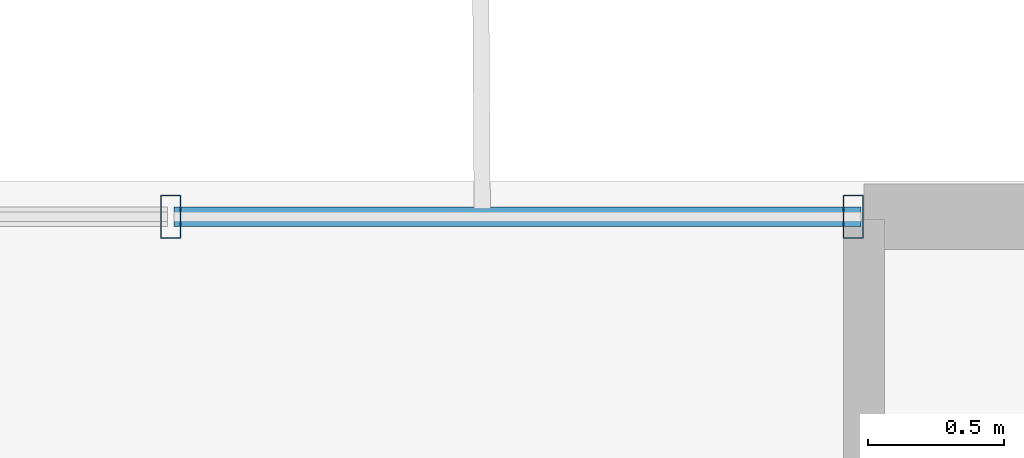
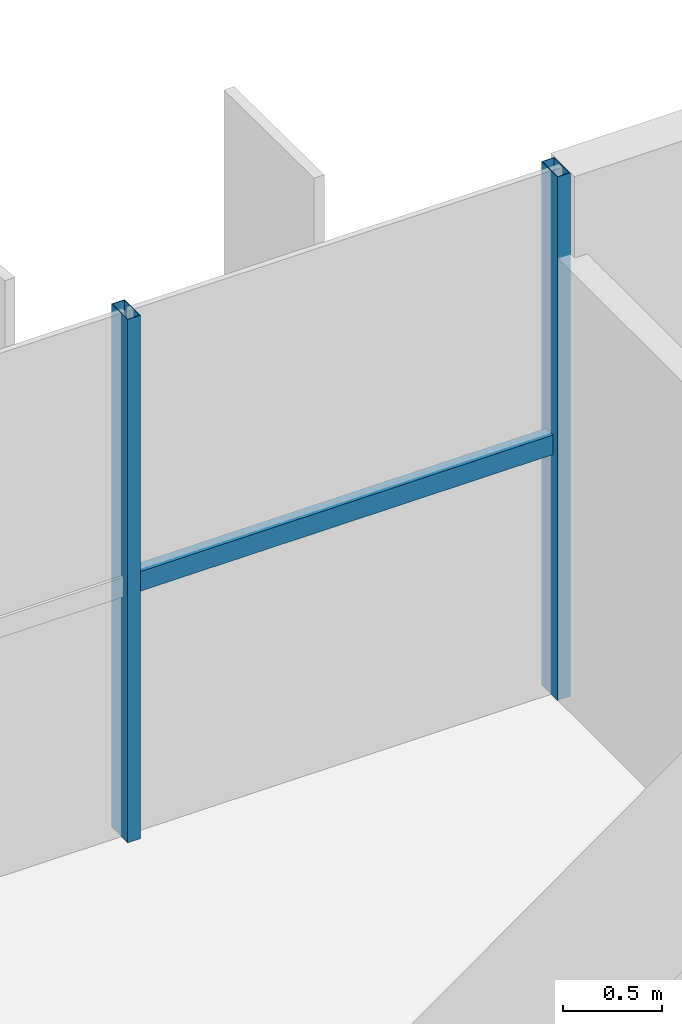
# One storey, part 18 of 27: 3 members, 1 element without a shape of its own.
"""IFC4 building model written with IfcOpenShell, lengths in metres."""

import ifcopenshell
import ifcopenshell.guid

model = None  # the IFC model being written
_history = None  # IfcOwnerHistory: only IFC2X3 demands one
_inside = {}  # id of a spatial element -> (the spatial element, [elements in it])
_under = {}  # id of a project, library or spatial element -> (it, [spatial elements below it])
_declared = {}  # id of a project -> (the project, [libraries it declares])
_typed = {}  # id of a type object -> (the type object, [elements of that type])
_made_of = {}  # id of a material, layer set ... -> (it, [elements and type objects made of it])


def new_model(schema):
    """Start an empty IFC model of exactly this schema.

    Asked for "IFC4X3", IfcOpenShell would pick the latest addendum, in which some entities
    have other attributes; the version numbers below select the first issue.
    IFC2X3 requires an IfcOwnerHistory on every rooted entity: one is made here for all.
    """
    global model, _history
    if schema == "IFC4X3":
        model = ifcopenshell.file(schema_version=(4, 3, 0, 0))
    else:
        model = ifcopenshell.file(schema=schema)
    _inside.clear()
    _under.clear()
    _declared.clear()
    _typed.clear()
    _made_of.clear()
    _history = None
    if model.schema == "IFC2X3":
        org = make("IfcOrganization", Name="unknown")
        user = make(
            "IfcPersonAndOrganization",
            ThePerson=make("IfcPerson", FamilyName="unknown"),
            TheOrganization=org,
        )
        app = make(
            "IfcApplication",
            ApplicationDeveloper=org,
            Version="unknown",
            ApplicationFullName="unknown",
            ApplicationIdentifier="unknown",
        )
        _history = make(
            "IfcOwnerHistory",
            OwningUser=user,
            OwningApplication=app,
            ChangeAction="ADDED",
            CreationDate=0,
        )
    return model


def make(cls, **values):
    """One entity of the class cls with the attributes given. An attribute that is None is left unset."""
    return model.create_entity(
        cls, **{name: value for name, value in values.items() if value is not None}
    )


def rooted(cls, **values):
    """An entity with a GlobalId (a new one), such as an element, a storey or a relation."""
    return make(cls, GlobalId=ifcopenshell.guid.new(), OwnerHistory=_history, **values)


def si_unit(unit_type, name, prefix=None):
    """IfcSIUnit, for example si_unit("LENGTHUNIT", "METRE", prefix="MILLI")."""
    return make("IfcSIUnit", UnitType=unit_type, Prefix=prefix, Name=name)


def assignment(units):
    """IfcUnitAssignment: the units of a project."""
    return None if units is None else make("IfcUnitAssignment", Units=units)


def point(xyz):
    """IfcCartesianPoint."""
    return None if xyz is None else make("IfcCartesianPoint", Coordinates=xyz)


def direction(xyz):
    """IfcDirection."""
    return None if xyz is None else make("IfcDirection", DirectionRatios=xyz)


def frame(location, z_axis=None, x_axis=None):
    """IfcAxis2Placement3D, a coordinate frame: its origin and axes. An axis left out is left unset."""
    return make(
        "IfcAxis2Placement3D",
        Location=point(location),
        Axis=direction(z_axis),
        RefDirection=direction(x_axis),
    )


def frame_2d(location, x_axis=None):
    """IfcAxis2Placement2D, a coordinate frame in the plane: its origin and x axis."""
    return make(
        "IfcAxis2Placement2D", Location=point(location), RefDirection=direction(x_axis)
    )


def origin():
    """The frame at (0, 0, 0) with its axes left unset."""
    return frame((0.0, 0.0, 0.0))


def origin_2d():
    """The frame at (0, 0) in the plane with its x axis left unset."""
    return frame_2d((0.0, 0.0))


def place(relative_to, where):
    """IfcLocalPlacement: puts the frame where relative to a parent placement (None: the world)."""
    return make(
        "IfcLocalPlacement", PlacementRelTo=relative_to, RelativePlacement=where
    )


def context(
    kind, dimensions, precision=None, world=None, true_north=None, identifier=None
):
    """IfcGeometricRepresentationContext, for example the 3D "Model" context."""
    return make(
        "IfcGeometricRepresentationContext",
        ContextIdentifier=identifier,
        ContextType=kind,
        CoordinateSpaceDimension=dimensions,
        Precision=precision,
        WorldCoordinateSystem=world,
        TrueNorth=true_north,
    )


def subcontext(parent, identifier, kind, view, scale=None):
    """IfcGeometricRepresentationSubContext, for example "Body" below "Model"."""
    return make(
        "IfcGeometricRepresentationSubContext",
        ContextIdentifier=identifier,
        ContextType=kind,
        ParentContext=parent,
        TargetScale=scale,
        TargetView=view,
    )


def project(units=None, contexts=None):
    """IfcProject with its units and contexts."""
    return rooted(
        "IfcProject",
        Name="project",
        RepresentationContexts=contexts,
        UnitsInContext=assignment(units),
    )


def spatial(cls, under=None, at=None, **own):
    """A site, building, storey or space (cls), placed at a placement, below another one or the project."""
    s = rooted(cls, ObjectPlacement=at, **own)
    if under is not None:
        _under.setdefault(under.id(), (under, []))[1].append(s)
    return s


def profile(cls, at=None, kind="AREA", **sizes):
    """A parametric profile (cls). Its sizes go by their IFC names, for example OverallWidth=200.0."""
    return make(cls, ProfileType=kind, Position=at, **sizes)


def hollow_rectangle(**sizes):
    """IfcRectangleHollowProfileDef."""
    return profile("IfcRectangleHollowProfileDef", **sizes)


def extrude(swept, where, along, depth):
    """IfcExtrudedAreaSolid: the profile swept, set in the frame where, extruded along a direction by depth."""
    return make(
        "IfcExtrudedAreaSolid",
        SweptArea=swept,
        Position=where,
        ExtrudedDirection=direction(along),
        Depth=depth,
    )


def shape(context_of_items, identifier, shape_type, items):
    """IfcShapeRepresentation: the items that make up one representation, for example the "Body"."""
    return make(
        "IfcShapeRepresentation",
        ContextOfItems=context_of_items,
        RepresentationIdentifier=identifier,
        RepresentationType=shape_type,
        Items=items,
    )


def source(mapping_origin, context_of_items, identifier, shape_type, items):
    """IfcRepresentationMap: a shape defined once, which mapped items show again and again."""
    return make(
        "IfcRepresentationMap",
        MappingOrigin=mapping_origin,
        MappedRepresentation=shape(context_of_items, identifier, shape_type, items),
    )


def transform(
    local_origin,
    x_axis=None,
    y_axis=None,
    z_axis=None,
    scale=None,
    scale2=None,
    scale3=None,
    uniform=True,
):
    """IfcCartesianTransformationOperator3D, or its non-uniform kind. x_axis, y_axis, z_axis: its Axis1, 2, 3."""
    if uniform:
        return make(
            "IfcCartesianTransformationOperator3D",
            Axis1=direction(x_axis),
            Axis2=direction(y_axis),
            LocalOrigin=point(local_origin),
            Scale=scale,
            Axis3=direction(z_axis),
        )
    return make(
        "IfcCartesianTransformationOperator3DnonUniform",
        Axis1=direction(x_axis),
        Axis2=direction(y_axis),
        LocalOrigin=point(local_origin),
        Scale=scale,
        Axis3=direction(z_axis),
        Scale2=scale2,
        Scale3=scale3,
    )


def mapped(mapping_source, mapping_target):
    """IfcMappedItem: shows the shape of a source again, moved by a transform."""
    return make(
        "IfcMappedItem", MappingSource=mapping_source, MappingTarget=mapping_target
    )


def material(Name=None, Category=None):
    """IfcMaterial."""
    return make("IfcMaterial", Name=Name, Category=Category)


def material_profile(
    of_material, cross_section, Name=None, Category=None, Priority=None
):
    """IfcMaterialProfile: a cross section and its material."""
    return make(
        "IfcMaterialProfile",
        Name=Name,
        Material=of_material,
        Profile=cross_section,
        Priority=Priority,
        Category=Category,
    )


def profile_set(profiles, Name=None, composite=None):
    """IfcMaterialProfileSet."""
    return make(
        "IfcMaterialProfileSet",
        Name=Name,
        MaterialProfiles=profiles,
        CompositeProfile=composite,
    )


def made_of(thing, what):
    """Note that an element or type object is made of a material, layer set ...; save() writes the relation."""
    if what is not None:
        _made_of.setdefault(what.id(), (what, []))[1].append(thing)
    return thing


def type_object(cls, material=None, **own):
    """A type object (cls), such as IfcWallType, which elements share."""
    return made_of(rooted(cls, **own), material)


def element(
    cls,
    number,
    at=None,
    inside=None,
    cuts=None,
    type_object=None,
    material=None,
    context=None,
    identifier="Body",
    shape_type=None,
    held_by="IfcProductDefinitionShape",
    body=None,
    shapes=None,
    **own,
):
    """One element of the class cls, such as IfcWall. Its Tag is "e" and its number.

    at: its placement. inside: the storey or other place that contains it. cuts: it is an
    opening in that element (IfcRelVoidsElement). A single representation is given by context,
    identifier, shape_type and body (its items); several are given by shapes. held_by: the class
    of the entity that holds the representations. save() writes the other relations.
    """
    e = rooted(cls, Tag="e%d" % number, ObjectPlacement=at, **own)
    if body is not None:
        shapes = [shape(context, identifier, shape_type, body)]
    if shapes is not None:
        e.Representation = make(held_by, Representations=shapes)
    if inside is not None:
        _inside.setdefault(inside.id(), (inside, []))[1].append(e)
    if cuts is not None:
        rooted(
            "IfcRelVoidsElement", RelatingBuildingElement=cuts, RelatedOpeningElement=e
        )
    if type_object is not None:
        _typed.setdefault(type_object.id(), (type_object, []))[1].append(e)
    return made_of(e, material)


def aggregate(whole, parts):
    """IfcRelAggregates: a whole, such as a stair, and the parts it consists of."""
    return rooted("IfcRelAggregates", RelatingObject=whole, RelatedObjects=parts)


def save(model, path):
    """Write the relations noted so far, then the file.

    IfcRelAggregates (storeys below a building ...), IfcRelContainedInSpatialStructure (elements
    in a storey), IfcRelDefinesByType, IfcRelAssociatesMaterial and IfcRelDeclares: one each for
    every whole, place, type object, material and project.
    """
    for whole, parts in _under.values():
        aggregate(whole, parts)
    for where, things in _inside.values():
        rooted(
            "IfcRelContainedInSpatialStructure",
            RelatedElements=things,
            RelatingStructure=where,
        )
    for kind, things in _typed.values():
        rooted("IfcRelDefinesByType", RelatedObjects=things, RelatingType=kind)
    for what, things in _made_of.values():
        rooted("IfcRelAssociatesMaterial", RelatedObjects=things, RelatingMaterial=what)
    for by, libraries in _declared.values():
        rooted("IfcRelDeclares", RelatingContext=by, RelatedDefinitions=libraries)
    model.write(path)


model = new_model("IFC4")

# Units and contexts
model_context = context("Model", 3, precision=1e-05, world=origin(), true_north=direction((0.0, 1.0)))
body_context = subcontext(model_context, "Body", "Model", "MODEL_VIEW")
ifc_project = project(units=[si_unit("LENGTHUNIT", "METRE"), si_unit("AREAUNIT", "SQUARE_METRE"), si_unit("VOLUMEUNIT", "CUBIC_METRE"), si_unit("PLANEANGLEUNIT", "RADIAN"), si_unit("MASSUNIT", "GRAM", prefix="KILO")], contexts=[model_context])

# Site, building, storey
site_placement = place(None, origin())
site = spatial("IfcSite", under=ifc_project, at=site_placement, CompositionType="ELEMENT")
building_placement = place(site_placement, origin())
building = spatial("IfcBuilding", under=site, at=building_placement, Name="Trelvane Seafront Commons", CompositionType="ELEMENT")
storey_placement = place(building_placement, frame((0.0, 0.0, 237.300048828125)))
storey = spatial("IfcBuildingStorey", under=building, at=storey_placement, Name="L62", CompositionType="ELEMENT", Elevation=237.300048828125)

# Curtain wall, members
ifc_material = material(Name="Anodised pale-silver aluminium", Category="aluminium")
curtain_wall_type = type_object("IfcCurtainWallType", Name="ARCH-CW5-UPTOWER", PredefinedType="NOTDEFINED", material=ifc_material)
curtain_wall_placement = place(storey_placement, origin())
curtain_wall = element("IfcCurtainWall", 1, at=curtain_wall_placement, inside=storey, type_object=curtain_wall_type, Name="CW-L62-0106", PredefinedType="NOTDEFINED")
ifc_material_profile_1 = material_profile(ifc_material, hollow_rectangle(XDim=0.070068359375, YDim=0.1201171875, WallThickness=0.00390625, at=origin_2d()), Name="TRAN-70x120x4")
ifc_profile_set_1 = profile_set([ifc_material_profile_1], Name="Anodised pale-silver aluminium")
member_type_1 = type_object("IfcMemberType", Name="ARCH-CW-TRAN-120", PredefinedType="USERDEFINED", material=ifc_profile_set_1)
shared_shape_1 = source(origin(), body_context, "Body", "SweptSolid", [
    extrude(hollow_rectangle(XDim=0.070068359375, YDim=0.1201171875, WallThickness=0.00390625, at=origin_2d()), origin(), (0.0, 0.0, 1.0), 2.517333984375),
])
member_1_placement = place(storey_placement, frame((56.270751953125, 48.3701171875, 1.5458984375), z_axis=(1.0, 0.0, 0.0), x_axis=(0.0, 1.0, 0.0)))
member_1 = element("IfcMember", 2, at=member_1_placement, type_object=member_type_1, Name="CW-L62-0106-T16", ObjectType="TRANSOM", PredefinedType="USERDEFINED", context=body_context, shape_type="MappedRepresentation", body=[
    mapped(shared_shape_1, transform((0.0, 0.0, 0.0), x_axis=(1.0, 0.0, 0.0), y_axis=(0.0, 1.0, 0.0), z_axis=(0.0, 0.0, 1.0), scale=1.0)),
])
ifc_material_profile_2 = material_profile(ifc_material, hollow_rectangle(XDim=0.074951171875, YDim=0.159912109375, WallThickness=0.00390625, at=origin_2d()), Name="MULL-75x160x4")
ifc_profile_set_2 = profile_set([ifc_material_profile_2], Name="Anodised pale-silver aluminium")
member_type_2 = type_object("IfcMemberType", Name="ARCH-CW-MULL-160", PredefinedType="MULLION", material=ifc_profile_set_2)
shared_shape_2 = source(origin(), body_context, "Body", "SweptSolid", [
    extrude(hollow_rectangle(XDim=0.074951171875, YDim=0.159912109375, WallThickness=0.00390625, at=origin_2d()), origin(), (0.0, 0.0, 1.0), 3.219970703125),
])
member_2_placement = place(storey_placement, frame((56.2587890625, 48.3701171875, 0.0), z_axis=(0.0, 0.0, 1.0), x_axis=(1.0, 0.0, 0.0)))
member_2 = element("IfcMember", 3, at=member_2_placement, type_object=member_type_2, Name="CW-L62-0106-M16", PredefinedType="MULLION", context=body_context, shape_type="MappedRepresentation", body=[
    mapped(shared_shape_2, transform((0.0, 0.0, 0.0), x_axis=(1.0, 0.0, 0.0), y_axis=(0.0, 1.0, 0.0), z_axis=(0.0, 0.0, 1.0), scale=1.0)),
])
member_3_placement = place(storey_placement, frame((58.760009765625, 48.3701171875, 0.0), z_axis=(0.0, 0.0, 1.0), x_axis=(1.0, 0.0, 0.0)))
member_3 = element("IfcMember", 4, at=member_3_placement, type_object=member_type_2, Name="CW-L62-0106-M17", PredefinedType="MULLION", context=body_context, shape_type="MappedRepresentation", body=[
    mapped(shared_shape_2, transform((0.0, 0.0, 0.0), x_axis=(1.0, 0.0, 0.0), y_axis=(0.0, 1.0, 0.0), z_axis=(0.0, 0.0, 1.0), scale=1.0)),
])
aggregate(curtain_wall, [member_2, member_3, member_1])

save(model, "model.ifc")
